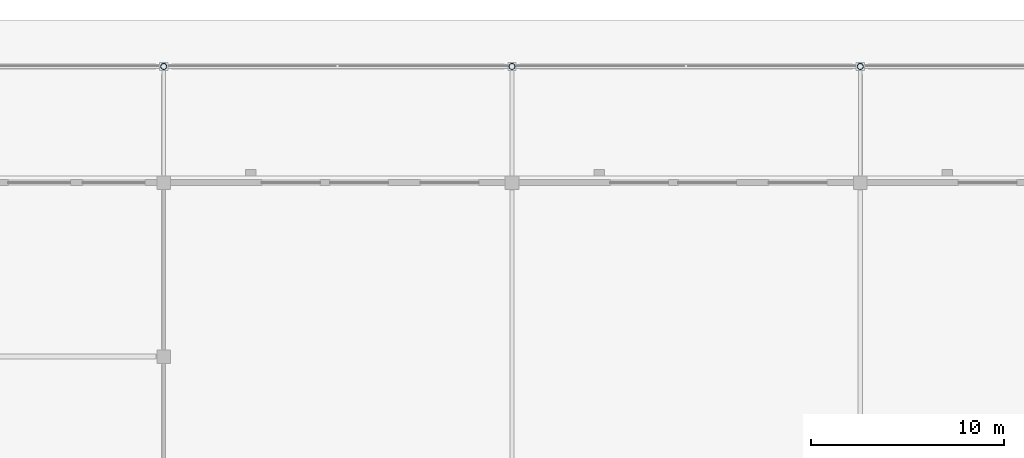
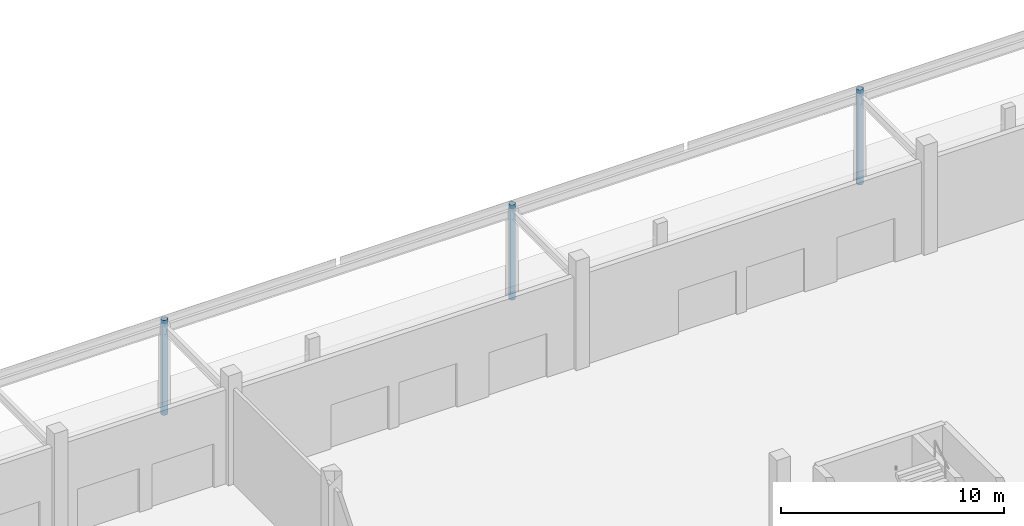
# One storey, part 17 of 84: 3 columns.
"""IFC4 building model written with IfcOpenShell, lengths in metres."""

from ifc_helpers import new_model, si_unit, direction, frame, origin, origin_2d, place, context, subcontext, project, spatial, hollow_circle, extrude, material, material_profile, profile_set, type_object, element, save


model = new_model("IFC4")

# Units and contexts
model_context = context("Model", 3, precision=1e-05, world=origin(), true_north=direction((0.0, 1.0)))
body_context = subcontext(model_context, "Body", "Model", "MODEL_VIEW")
ifc_project = project(units=[si_unit("LENGTHUNIT", "METRE"), si_unit("AREAUNIT", "SQUARE_METRE"), si_unit("VOLUMEUNIT", "CUBIC_METRE"), si_unit("PLANEANGLEUNIT", "RADIAN"), si_unit("MASSUNIT", "GRAM", prefix="KILO")], contexts=[model_context])

# Site, building, storey
site_placement = place(None, origin())
site = spatial("IfcSite", under=ifc_project, at=site_placement, CompositionType="ELEMENT")
building_placement = place(site_placement, origin())
building = spatial("IfcBuilding", under=site, at=building_placement, Name="Kisiwana Market Hall", CompositionType="ELEMENT")
storey_placement = place(building_placement, origin())
storey = spatial("IfcBuildingStorey", under=building, at=storey_placement, Name="L00", CompositionType="ELEMENT", Elevation=0.0)

# Columns
ifc_material = material(Name="Steel S355", Category="steel")
ifc_material_profile = material_profile(ifc_material, hollow_circle(Radius=0.161865234375, WallThickness=0.01611328125, at=origin_2d()), Name="CHS 323.9x16.0")
ifc_profile_set = profile_set([ifc_material_profile], Name="Steel S355")
column_type = type_object("IfcColumnType", Name="COL-STL-CHS324", PredefinedType="COLUMN", material=ifc_profile_set)
for number, where, z_axis, x_axis, name in (
    (1, (45.0, 126.0, 0.0), (0.0, 0.0, 1.0), (1.0, 0.0, 0.0), "Column R/6 (L00) C-0234"),
    (2, (63.0, 126.0, 0.0), (0.0, 0.0, 1.0), (1.0, 0.0, 0.0), "Column R/8 (L00) C-0243"),
    (3, (81.0, 126.0, 0.0), (0.0, 0.0, 1.0), (1.0, 0.0, 0.0), "Column R/10 (L00) C-0252"),
):
    element("IfcColumn", number, at=place(storey_placement, frame(where, z_axis=z_axis, x_axis=x_axis)), inside=storey, type_object=column_type, Name=name, PredefinedType="COLUMN", context=body_context, shape_type="SweptSolid", body=[
        extrude(hollow_circle(Radius=0.161865234375, WallThickness=0.01611328125, at=origin_2d()), origin(), (0.0, 0.0, 1.0), 5.199951171875),
    ])

save(model, "model.ifc")
